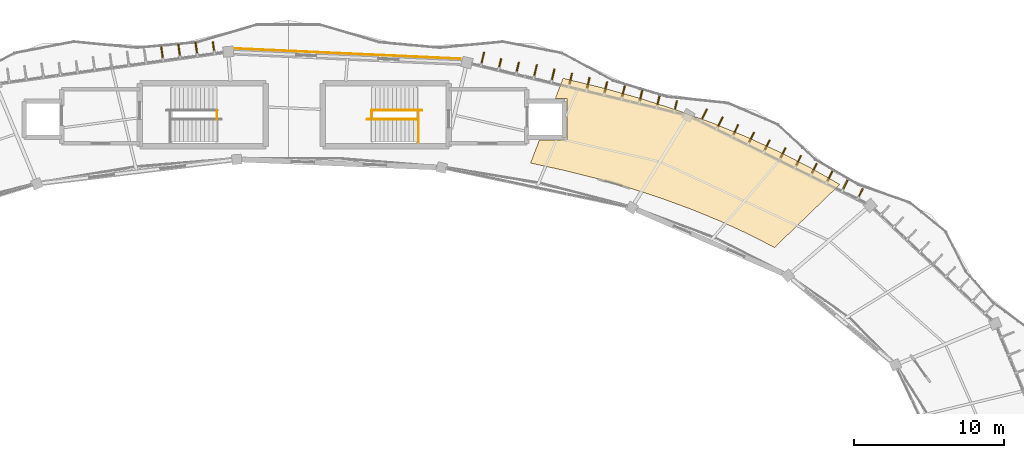
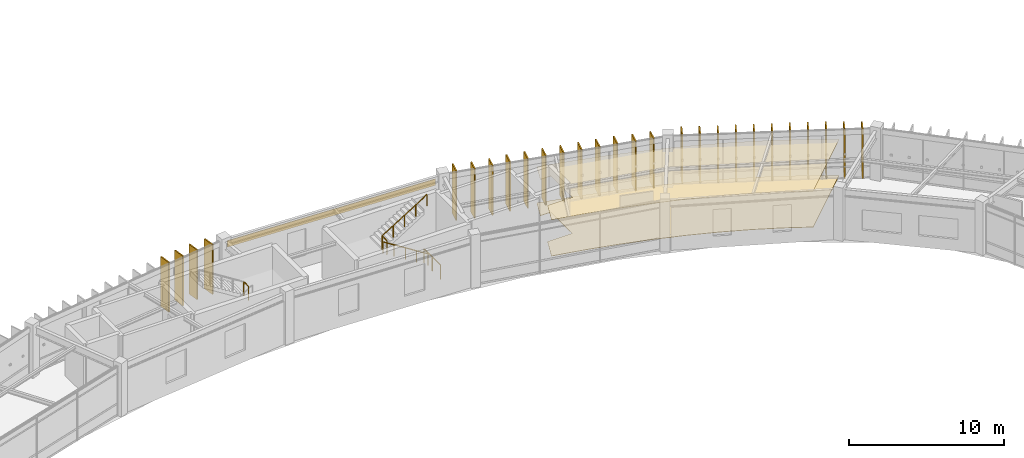
# One storey, part 135 of 138: 27 shading devices, 5 railings, 3 coverings.
"""IFC4 building model written with IfcOpenShell, lengths in metres."""

from ifc_helpers import new_model, si_unit, direction, frame, origin, origin_2d, place, context, subcontext, project, spatial, polyline, rectangle, circle, outline, extrude, material, layer, layer_set, type_object, element, save


model = new_model("IFC4")

# Units and contexts
model_context = context("Model", 3, precision=1e-05, world=origin(), true_north=direction((0.0, 1.0)))
body_context = subcontext(model_context, "Body", "Model", "MODEL_VIEW")
ifc_project = project(units=[si_unit("LENGTHUNIT", "METRE"), si_unit("AREAUNIT", "SQUARE_METRE"), si_unit("VOLUMEUNIT", "CUBIC_METRE"), si_unit("PLANEANGLEUNIT", "RADIAN"), si_unit("MASSUNIT", "GRAM", prefix="KILO"), si_unit("THERMODYNAMICTEMPERATUREUNIT", "KELVIN"), si_unit("POWERUNIT", "WATT")], contexts=[model_context])

# Site, building, storey
site_placement = place(None, origin())
site = spatial("IfcSite", under=ifc_project, at=site_placement, CompositionType="ELEMENT")
building_placement = place(site_placement, origin())
building = spatial("IfcBuilding", under=site, at=building_placement, Name="Darbajah Civic Hall", CompositionType="ELEMENT")
storey_placement = place(building_placement, frame((0.0, 0.0, 9.60009765625)))
storey = spatial("IfcBuildingStorey", under=building, at=storey_placement, Name="L02", CompositionType="ELEMENT", Elevation=9.60009765625)

# Railings
ifc_material_1 = material(Name="Brushed Bronze Stainless Steel", Category="steel")
railing_type_1 = type_object("IfcRailingType", Name="Brushed Bronze Handrail", PredefinedType="HANDRAIL", material=ifc_material_1)
railing_1_placement = place(storey_placement, frame((97.719970703125, 114.699951171875, 0.1748046875)))
element("IfcRailing", 1, at=railing_1_placement, inside=storey, type_object=railing_type_1, Name="ST02 L02 lower flight handrail", PredefinedType="HANDRAIL", context=body_context, shape_type="SweptSolid", body=[
    extrude(circle(Radius=0.02392578125, at=origin_2d()), frame((-0.023193359375, 0.0, 0.910400390625), z_axis=(-0.845926808262, 0.0, 0.533299010935), x_axis=(0.0, -1.0, 0.0)), (0.0, 0.0, 1.0), 3.917236328125),
    extrude(circle(Radius=0.02099609375, at=origin_2d()), origin(), (0.0, 0.0, 1.0), 0.867919921875),
    extrude(circle(Radius=0.02099609375, at=origin_2d()), frame((-0.83984375, 0.0, 0.529541015625)), (0.0, 0.0, 1.0), 0.867919921875),
    extrude(circle(Radius=0.02099609375, at=origin_2d()), frame((-1.679931640625, 0.0, 1.05908203125)), (0.0, 0.0, 1.0), 0.867919921875),
    extrude(circle(Radius=0.02099609375, at=origin_2d()), frame((-2.52001953125, 0.0, 1.588623046875)), (0.0, 0.0, 1.0), 0.867919921875),
    extrude(circle(Radius=0.02099609375, at=origin_2d()), frame((-3.35986328125, 0.0, 2.1181640625)), (0.0, 0.0, 1.0), 0.867919921875),
])
railing_2_placement = place(storey_placement, frame((94.639892578125, 115.300048828125, 2.27490234375)))
element("IfcRailing", 2, at=railing_2_placement, inside=storey, type_object=railing_type_1, Name="ST02 L02 upper flight handrail", PredefinedType="HANDRAIL", context=body_context, shape_type="SweptSolid", body=[
    extrude(circle(Radius=0.02392578125, at=origin_2d()), frame((0.023193359375, 0.0, 0.910400390625), z_axis=(0.845944288966, 0.0, 0.533271281775), x_axis=(0.0, 1.0, 0.0)), (0.0, 0.0, 1.0), 3.91748046875),
    extrude(circle(Radius=0.02099609375, at=origin_2d()), origin(), (0.0, 0.0, 1.0), 0.867919921875),
    extrude(circle(Radius=0.02099609375, at=origin_2d()), frame((0.840087890625, 0.0, 0.529541015625)), (0.0, 0.0, 1.0), 0.867919921875),
    extrude(circle(Radius=0.02099609375, at=origin_2d()), frame((1.68017578125, 0.0, 1.05908203125)), (0.0, 0.0, 1.0), 0.867919921875),
    extrude(circle(Radius=0.02099609375, at=origin_2d()), frame((2.52001953125, 0.0, 1.588623046875)), (0.0, 0.0, 1.0), 0.867919921875),
    extrude(circle(Radius=0.02099609375, at=origin_2d()), frame((3.360107421875, 0.0, 2.1181640625)), (0.0, 0.0, 1.0), 0.867919921875),
])

# Covering
ifc_material_2 = material(Name="Honed Qatari Limestone Terrazzo", Category="masonry")
ifc_layer_1 = layer(ifc_material_2, 0.030029296875, Name="Honed Qatari Limestone Terrazzo")
ifc_layer_set_1 = layer_set([ifc_layer_1], Name="Honed Qatari Limestone Terrazzo")
covering_type_1 = type_object("IfcCoveringType", Name="Honed Qatari Limestone Terrazzo Flooring", PredefinedType="FLOORING", material=ifc_layer_set_1)
covering_1_placement = place(storey_placement, origin())
element("IfcCovering", 3, at=covering_1_placement, inside=storey, type_object=covering_type_1, Name="L02 stone terrazzo flooring L02-V1-04", PredefinedType="FLOORING", context=body_context, shape_type="SweptSolid", body=[
    extrude(outline(polyline([(121.50634765625, 106.1591796875), (119.752197265625, 107.058349609375), (117.90673828125, 107.90625), (115.9755859375, 108.7001953125), (113.96484375, 109.43798828125), (111.8798828125, 110.117431640625), (109.727294921875, 110.736328125), (107.51318359375, 111.29296875), (105.244384765625, 111.785888671875), (105.83349609375, 113.320068359375), (107.679931640625, 113.320068359375), (107.679931640625, 116.080078125), (106.892822265625, 116.080078125), (107.41259765625, 117.43408203125), (109.986083984375, 116.814697265625), (112.497314453125, 116.114990234375), (114.939208984375, 115.3369140625), (117.303955078125, 114.48291015625), (119.5849609375, 113.5556640625), (121.775390625, 112.5576171875), (123.868408203125, 111.4921875), (125.8583984375, 110.36181640625), (121.50634765625, 106.1591796875)])), origin(), (0.0, 0.0, 1.0), 0.02978515625),
])

# Railings
ifc_material_3 = material(Name="Brushed Bronze and Laminated Safety Glass", Category="glass")
railing_type_2 = type_object("IfcRailingType", Name="Interior Guard Balustrade", PredefinedType="BALUSTRADE", material=ifc_material_3)
railing_3_placement = place(storey_placement, frame((84.340087890625, 114.699951171875, 2.099853515625)))
element("IfcRailing", 4, at=railing_3_placement, inside=storey, type_object=railing_type_2, Name="ST01 L02 landing well guard", PredefinedType="BALUSTRADE", context=body_context, shape_type="SweptSolid", body=[
    extrude(circle(Radius=0.02392578125, at=origin_2d()), frame((0.0, 0.02734375, 1.09619140625), z_axis=(0.0, 1.0, 0.0), x_axis=(-1.0, 0.0, 0.0)), (0.0, 0.0, 1.0), 0.54541015625),
    extrude(circle(Radius=0.02099609375, at=origin_2d()), origin(), (0.0, 0.0, 1.0), 1.068115234375),
    extrude(circle(Radius=0.02099609375, at=origin_2d()), frame((0.0, 0.60009765625, 0.0)), (0.0, 0.0, 1.0), 1.068115234375),
])
railing_4_placement = place(storey_placement, frame((97.77001953125, 113.14990234375, 0.0)))
element("IfcRailing", 5, at=railing_4_placement, inside=storey, type_object=railing_type_2, Name="ST02 L02 stair-well edge guard", PredefinedType="BALUSTRADE", context=body_context, shape_type="SweptSolid", body=[
    extrude(circle(Radius=0.02392578125, at=origin_2d()), frame((0.0, 0.02734375, 1.09619140625), z_axis=(0.0, 1.0, 0.0), x_axis=(-1.0, 0.0, 0.0)), (0.0, 0.0, 1.0), 2.095458984375),
    extrude(circle(Radius=0.02099609375, at=origin_2d()), origin(), (0.0, 0.0, 1.0), 1.068115234375),
    extrude(circle(Radius=0.02099609375, at=origin_2d()), frame((0.0, 1.0751953125, 0.0)), (0.0, 0.0, 1.0), 1.068115234375),
    extrude(circle(Radius=0.02099609375, at=origin_2d()), frame((0.0, 2.150146484375, 0.0)), (0.0, 0.0, 1.0), 1.068115234375),
])
railing_5_placement = place(storey_placement, frame((94.659912109375, 114.699951171875, 2.099853515625)))
element("IfcRailing", 6, at=railing_5_placement, inside=storey, type_object=railing_type_2, Name="ST02 L02 landing well guard", PredefinedType="BALUSTRADE", context=body_context, shape_type="SweptSolid", body=[
    extrude(circle(Radius=0.02392578125, at=origin_2d()), frame((0.0, 0.02734375, 1.09619140625), z_axis=(0.0, 1.0, 0.0), x_axis=(-1.0, 0.0, 0.0)), (0.0, 0.0, 1.0), 0.54541015625),
    extrude(circle(Radius=0.02099609375, at=origin_2d()), origin(), (0.0, 0.0, 1.0), 1.068115234375),
    extrude(circle(Radius=0.02099609375, at=origin_2d()), frame((0.0, 0.60009765625, 0.0)), (0.0, 0.0, 1.0), 1.068115234375),
])

# Coverings
ifc_material_4 = material(Name="Qatari Desert Limestone Ashlar", Category="masonry")
ifc_layer_2 = layer(ifc_material_4, 0.044921875, Name="Qatari Desert Limestone Ashlar")
ifc_layer_set_2 = layer_set([ifc_layer_2], Name="Qatari Desert Limestone Ashlar")
covering_type_2 = type_object("IfcCoveringType", Name="Limestone Facade Cladding", PredefinedType="CLADDING", material=ifc_layer_set_2)
covering_2_placement = place(storey_placement, frame((0.0, 0.0, 3.02001953125)))
element("IfcCovering", 7, at=covering_2_placement, inside=storey, type_object=covering_type_2, Name="L02 stone frieze cladding EW-V1O-L02-04", PredefinedType="CLADDING", context=body_context, shape_type="SweptSolid", body=[
    extrude(outline(polyline([(100.60400390625, 118.71337890625), (85.50048828125, 119.40087890625), (85.50244140625, 119.44580078125), (100.60595703125, 118.75830078125), (100.60400390625, 118.71337890625)])), origin(), (0.0, 0.0, 1.0), 0.5),
])
ifc_material_5 = material(Name="Perforated Acoustic Gypsum Board")
ifc_layer_3 = layer(ifc_material_5, 0.02490234375, Name="Perforated Acoustic Gypsum Board")
ifc_layer_set_3 = layer_set([ifc_layer_3], Name="Perforated Acoustic Gypsum Board")
covering_type_3 = type_object("IfcCoveringType", Name="Perforated Acoustic Gypsum Ceiling", PredefinedType="CEILING", material=ifc_layer_set_3)
covering_3_placement = place(storey_placement, frame((0.0, 0.0, 2.849853515625)))
element("IfcCovering", 8, at=covering_3_placement, inside=storey, type_object=covering_type_3, Name="L02 acoustic suspended ceiling L02-V1-04", PredefinedType="CEILING", context=body_context, shape_type="SweptSolid", body=[
    extrude(outline(polyline([(121.50634765625, 106.1591796875), (119.752197265625, 107.058349609375), (117.90673828125, 107.90625), (115.9755859375, 108.7001953125), (113.96484375, 109.43798828125), (111.8798828125, 110.117431640625), (109.727294921875, 110.736328125), (107.51318359375, 111.29296875), (105.244384765625, 111.785888671875), (105.83349609375, 113.320068359375), (107.679931640625, 113.320068359375), (107.679931640625, 116.080078125), (106.892822265625, 116.080078125), (107.41259765625, 117.43408203125), (109.986083984375, 116.814697265625), (112.497314453125, 116.114990234375), (114.939208984375, 115.3369140625), (117.303955078125, 114.48291015625), (119.5849609375, 113.5556640625), (121.775390625, 112.5576171875), (123.868408203125, 111.4921875), (125.8583984375, 110.36181640625), (121.50634765625, 106.1591796875)])), origin(), (0.0, 0.0, 1.0), 0.025146484375),
])

# Shading devices
ifc_material_6 = material(Name="Bronze Anodised Aluminium and Teak Composite", Category="aluminium")
shading_device_type = type_object("IfcShadingDeviceType", Name="Vertical Bronze Timber Shading Fin", PredefinedType="USERDEFINED", material=ifc_material_6)
for number, where, z_axis, x_axis, name in (
    (9, (127.2021484375, 109.6962890625, 0.0), (0.0, 0.0, 1.0), (0.442914717678, 0.89656374724, 0.0), "L02 vertical shading fin VF-02-1"),
    (10, (126.17822265625, 110.25732421875, 0.0), (0.0, 0.0, 1.0), (0.442914717678, 0.89656374724, 0.0), "L02 vertical shading fin VF-02-2"),
    (11, (125.17919921875, 110.867919921875, 0.0), (0.0, 0.0, 1.0), (0.442914717678, 0.89656374724, 0.0), "L02 vertical shading fin VF-02-3"),
    (12, (124.13330078125, 111.384521484375, 0.0), (0.0, 0.0, 1.0), (0.442914717678, 0.89656374724, 0.0), "L02 vertical shading fin VF-02-4"),
    (13, (123.087890625, 111.90087890625, 0.0), (0.0, 0.0, 1.0), (0.442914717678, 0.89656374724, 0.0), "L02 vertical shading fin VF-02-5"),
    (14, (122.042236328125, 112.41748046875, 0.0), (0.0, 0.0, 1.0), (0.442914717678, 0.89656374724, 0.0), "L02 vertical shading fin VF-02-6"),
    (15, (120.99658203125, 112.93408203125, 0.0), (0.0, 0.0, 1.0), (0.442914717678, 0.89656374724, 0.0), "L02 vertical shading fin VF-02-7"),
    (16, (119.950927734375, 113.45068359375, 0.0), (0.0, 0.0, 1.0), (0.442914717678, 0.89656374724, 0.0), "L02 vertical shading fin VF-02-8"),
    (17, (118.9052734375, 113.96728515625, 0.0), (0.0, 0.0, 1.0), (0.442914717678, 0.89656374724, 0.0), "L02 vertical shading fin VF-02-9"),
    (18, (117.859619140625, 114.48388671875, 0.0), (0.0, 0.0, 1.0), (0.442914717678, 0.89656374724, 0.0), "L02 vertical shading fin VF-02-10"),
    (19, (116.81396484375, 115.00048828125, 0.0), (0.0, 0.0, 1.0), (0.442914717678, 0.89656374724, 0.0), "L02 vertical shading fin VF-02-11"),
    (20, (114.90380859375, 115.527587890625, 0.0), (0.0, 0.0, 1.0), (0.232936200179, 0.972492018808, 0.0), "L02 vertical shading fin VF-03-1"),
    (21, (113.739501953125, 115.837646484375, 0.0), (0.0, 0.0, 1.0), (0.232936200179, 0.972492018808, 0.0), "L02 vertical shading fin VF-03-2"),
    (22, (112.596435546875, 116.2373046875, 0.0), (0.0, 0.0, 1.0), (0.232936200179, 0.972492018808, 0.0), "L02 vertical shading fin VF-03-3"),
    (23, (111.425048828125, 116.51806640625, 0.0), (0.0, 0.0, 1.0), (0.232936200179, 0.972492018808, 0.0), "L02 vertical shading fin VF-03-4"),
    (24, (110.253662109375, 116.798583984375, 0.0), (0.0, 0.0, 1.0), (0.232936200179, 0.972492018808, 0.0), "L02 vertical shading fin VF-03-5"),
    (25, (109.082275390625, 117.079345703125, 0.0), (0.0, 0.0, 1.0), (0.232936200179, 0.972492018808, 0.0), "L02 vertical shading fin VF-03-6"),
    (26, (107.910888671875, 117.360107421875, 0.0), (0.0, 0.0, 1.0), (0.232936200179, 0.972492018808, 0.0), "L02 vertical shading fin VF-03-7"),
    (27, (106.739501953125, 117.640625, 0.0), (0.0, 0.0, 1.0), (0.232936200179, 0.972492018808, 0.0), "L02 vertical shading fin VF-03-8"),
    (28, (105.568115234375, 117.92138671875, 0.0), (0.0, 0.0, 1.0), (0.232936200179, 0.972492018808, 0.0), "L02 vertical shading fin VF-03-9"),
    (29, (104.371826171875, 118.0986328125, 0.0), (0.0, 0.0, 1.0), (0.232936200179, 0.972492018808, 0.0), "L02 vertical shading fin VF-03-10"),
    (30, (103.1904296875, 118.337890625, 0.0), (0.0, 0.0, 1.0), (0.232936200179, 0.972492018808, 0.0), "L02 vertical shading fin VF-03-11"),
    (31, (102.0517578125, 118.755126953125, 0.0), (0.0, 0.0, 1.0), (0.232936200179, 0.972492018808, 0.0), "L02 vertical shading fin VF-03-12"),
    (32, (84.129638671875, 119.443115234375, 0.0), (0.0, 0.0, 1.0), (-0.137617420457, 0.990485459553, 0.0), "L02 vertical shading fin VF-05-1"),
    (33, (82.97021484375, 119.427490234375, 0.0), (0.0, 0.0, 1.0), (-0.137617420457, 0.990485459553, 0.0), "L02 vertical shading fin VF-05-2"),
    (34, (81.829345703125, 119.275146484375, 0.0), (0.0, 0.0, 1.0), (-0.137617420457, 0.990485459553, 0.0), "L02 vertical shading fin VF-05-3"),
    (35, (80.689697265625, 119.11669921875, 0.0), (0.0, 0.0, 1.0), (-0.137617420457, 0.990485459553, 0.0), "L02 vertical shading fin VF-05-4"),
):
    element("IfcShadingDevice", number, at=place(storey_placement, frame(where, z_axis=z_axis, x_axis=x_axis)), inside=storey, type_object=shading_device_type, Name=name, ObjectType="VERTICAL FIN", PredefinedType="USERDEFINED", context=body_context, shape_type="SweptSolid", body=[
        extrude(rectangle(XDim=0.85009765625, YDim=0.090087890625, at=origin_2d()), origin(), (0.0, 0.0, 1.0), 3.919921875),
    ])

save(model, "model.ifc")
